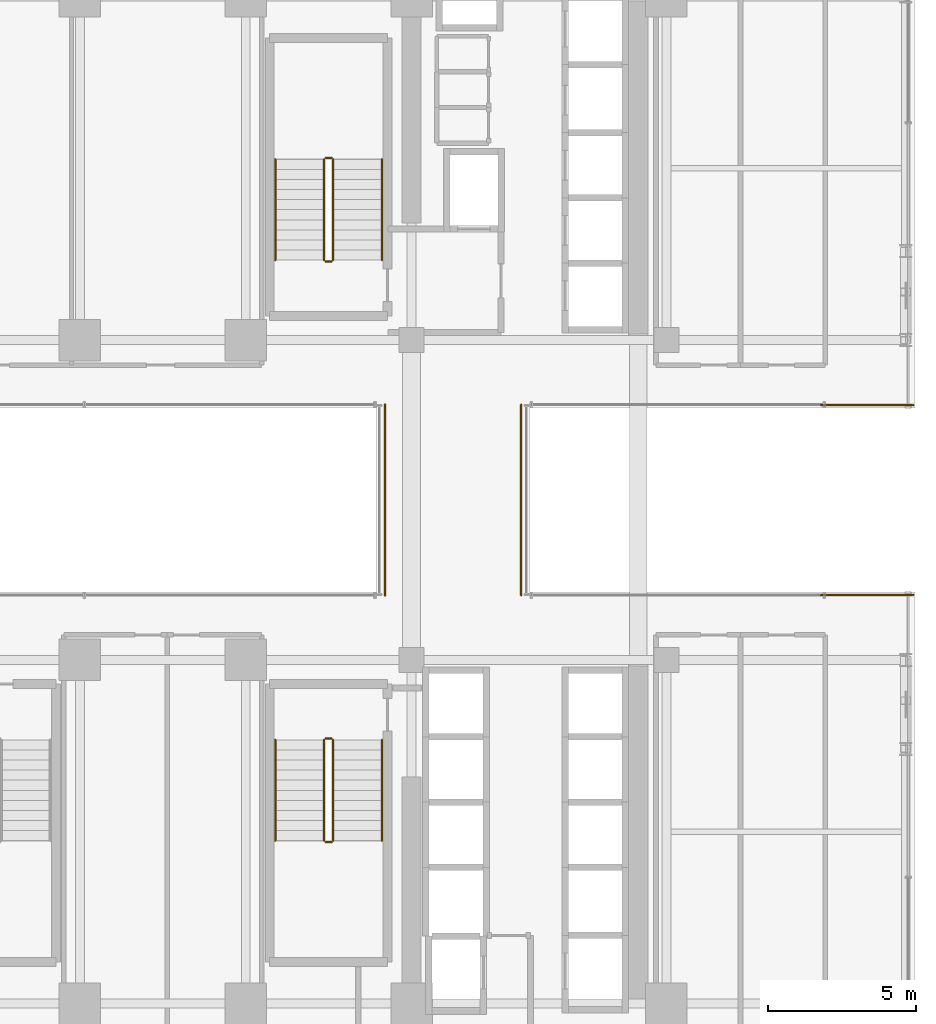
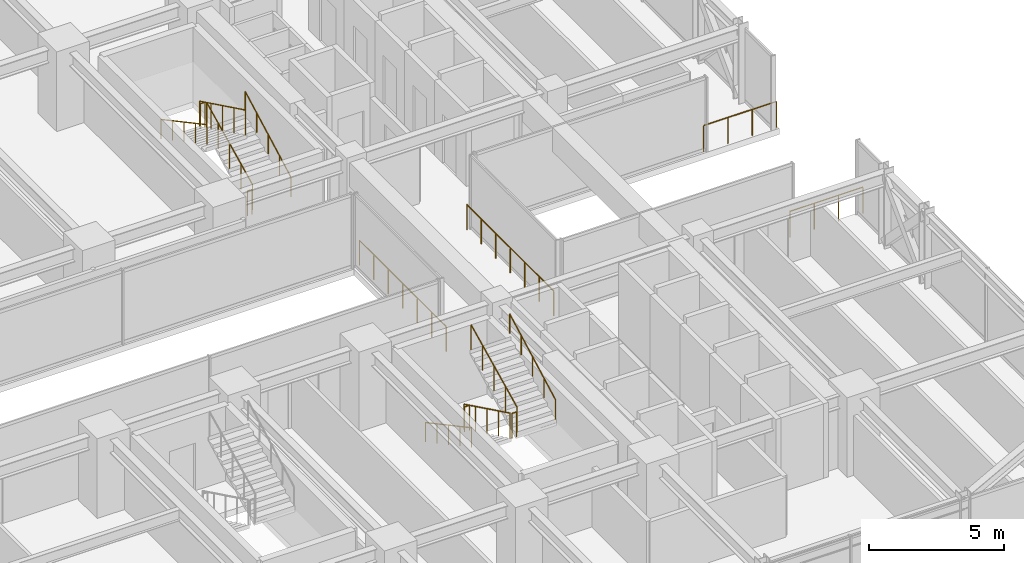
# One storey, part 36 of 37: 16 railings.
"""IFC4 building model written with IfcOpenShell, lengths in metres."""

from ifc_helpers import new_model, si_unit, direction, frame, origin, origin_2d, place, context, subcontext, project, spatial, circle, extrude, material, type_object, element, save


model = new_model("IFC4")

# Units and contexts
model_context = context("Model", 3, precision=1e-05, world=origin(), true_north=direction((0.0, 1.0)))
body_context = subcontext(model_context, "Body", "Model", "MODEL_VIEW")
ifc_project = project(units=[si_unit("LENGTHUNIT", "METRE"), si_unit("AREAUNIT", "SQUARE_METRE"), si_unit("VOLUMEUNIT", "CUBIC_METRE"), si_unit("PLANEANGLEUNIT", "RADIAN"), si_unit("MASSUNIT", "GRAM", prefix="KILO")], contexts=[model_context])

# Site, building, storey
site_placement = place(None, origin())
site = spatial("IfcSite", under=ifc_project, at=site_placement, CompositionType="ELEMENT")
building_placement = place(site_placement, origin())
building = spatial("IfcBuilding", under=site, at=building_placement, Name="Nahalor Promenade Grand Hotel", CompositionType="ELEMENT")
storey_placement = place(building_placement, frame((0.0, 0.0, 65.25)))
storey = spatial("IfcBuildingStorey", under=building, at=storey_placement, Name="L15", CompositionType="ELEMENT", Elevation=65.25)

# Railings
ifc_material_1 = material(Name="Anodised Bronze Aluminium EN AW-6063 T6", Category="aluminium")
railing_type_1 = type_object("IfcRailingType", Name="Bronze Balcony Guardrail 1200 mm", PredefinedType="GUARDRAIL", material=ifc_material_1)
for number, where, name in (
    (1, (22.219970703125, -3.199951171875, 0.0), "L15 Oculus Void Edge Guardrail ES"),
    (2, (22.219970703125, 3.199951171875, 0.0), "L15 Oculus Void Edge Guardrail EN"),
):
    element("IfcRailing", number, at=place(storey_placement, frame(where)), inside=storey, type_object=railing_type_1, Name=name, PredefinedType="GUARDRAIL", context=body_context, shape_type="SweptSolid", body=[
        extrude(circle(Radius=0.024048, at=origin_2d()), frame((0.0, 0.0, 1.17578125), z_axis=(1.0, 0.0, 0.0), x_axis=(0.0, 1.0, 0.0)), (0.0, 0.0, 1.0), 3.1201171875),
        extrude(circle(Radius=0.020996, at=origin_2d()), origin(), (0.0, 0.0, 1.0), 1.14990234375),
        extrude(circle(Radius=0.020996, at=origin_2d()), frame((1.0400390625, 0.0, 0.0)), (0.0, 0.0, 1.0), 1.14990234375),
        extrude(circle(Radius=0.020996, at=origin_2d()), frame((2.080078125, 0.0, 0.0)), (0.0, 0.0, 1.0), 1.14990234375),
        extrude(circle(Radius=0.020996, at=origin_2d()), frame((3.1201171875, 0.0, 0.0)), (0.0, 0.0, 1.0), 1.14990234375),
    ])
railing_type_2 = type_object("IfcRailingType", Name="Bronze Sky Balustrade 1150 mm", PredefinedType="BALUSTRADE", material=ifc_material_1)
for number, where, name in (
    (3, (7.5, -3.219970703125, 0.0), "BL-L15-BRG-W"),
    (4, (12.10009765625, -3.219970703125, 0.0), "BL-L15-BRG-E"),
):
    element("IfcRailing", number, at=place(storey_placement, frame(where)), inside=storey, type_object=railing_type_2, Name=name, PredefinedType="BALUSTRADE", context=body_context, shape_type="SweptSolid", body=[
        extrude(circle(Radius=0.024048, at=origin_2d()), frame((0.0, 0.0, 1.1259765625), z_axis=(0.0, 1.0, 0.0), x_axis=(-1.0, 0.0, 0.0)), (0.0, 0.0, 1.0), 6.43994140625),
        extrude(circle(Radius=0.020996, at=origin_2d()), origin(), (0.0, 0.0, 1.0), 1.099853515625),
        extrude(circle(Radius=0.020996, at=origin_2d()), frame((0.0, 1.0732421875, 0.0)), (0.0, 0.0, 1.0), 1.099853515625),
        extrude(circle(Radius=0.020996, at=origin_2d()), frame((0.0, 2.146728515625, 0.0)), (0.0, 0.0, 1.0), 1.099853515625),
        extrude(circle(Radius=0.020996, at=origin_2d()), frame((0.0, 3.219970703125, 0.0)), (0.0, 0.0, 1.0), 1.099853515625),
        extrude(circle(Radius=0.020996, at=origin_2d()), frame((0.0, 4.293212890625, 0.0)), (0.0, 0.0, 1.0), 1.099853515625),
        extrude(circle(Radius=0.020996, at=origin_2d()), frame((0.0, 5.36669921875, 0.0)), (0.0, 0.0, 1.0), 1.099853515625),
        extrude(circle(Radius=0.020996, at=origin_2d()), frame((0.0, 6.43994140625, 0.0)), (0.0, 0.0, 1.0), 1.099853515625),
    ])
ifc_material_2 = material(Name="Steel S355JR", Category="steel")
railing_type_3 = type_object("IfcRailingType", Name="Steel Stair Guardrail 1150 mm", PredefinedType="GUARDRAIL", material=ifc_material_2)
railing_1_placement = place(storey_placement, frame((5.75, 8.10009765625, 0.166015625)))
element("IfcRailing", 5, at=railing_1_placement, inside=storey, type_object=railing_type_3, Name="L15 ST1 stair guard 1", PredefinedType="GUARDRAIL", context=body_context, shape_type="SweptSolid", body=[
    extrude(circle(Radius=0.024048, at=origin_2d()), frame((0.0, 0.0, 1.1259765625), z_axis=(0.0, 0.898721922897, 0.438518990814), x_axis=(-1.0, 0.0, 0.0)), (0.0, 0.0, 1.0), 3.782958984375),
    extrude(circle(Radius=0.020996, at=origin_2d()), origin(), (0.0, 0.0, 1.0), 1.099853515625),
    extrude(circle(Radius=0.020996, at=origin_2d()), frame((0.0, 0.85009765625, 0.414794921875)), (0.0, 0.0, 1.0), 1.099853515625),
    extrude(circle(Radius=0.020996, at=origin_2d()), frame((0.0, 1.699951171875, 0.82958984375)), (0.0, 0.0, 1.0), 1.099853515625),
    extrude(circle(Radius=0.020996, at=origin_2d()), frame((0.0, 2.5498046875, 1.244140625)), (0.0, 0.0, 1.0), 1.099853515625),
    extrude(circle(Radius=0.020996, at=origin_2d()), frame((0.0, 3.39990234375, 1.658935546875)), (0.0, 0.0, 1.0), 1.099853515625),
])
railing_2_placement = place(storey_placement, frame((5.699951171875, 11.550048828125, 1.824951171875)))
element("IfcRailing", 6, at=railing_2_placement, inside=storey, type_object=railing_type_3, Name="L15 ST1 stair guard 2", PredefinedType="GUARDRAIL", context=body_context, shape_type="SweptSolid", body=[
    extrude(circle(Radius=0.024048, at=origin_2d()), frame((0.0, 0.0, 1.1259765625), z_axis=(-1.0, 0.0, 0.0), x_axis=(0.0, -1.0, 0.0)), (0.0, 0.0, 1.0), 0.199951171875),
    extrude(circle(Radius=0.020996, at=origin_2d()), origin(), (0.0, 0.0, 1.0), 1.099853515625),
    extrude(circle(Radius=0.020996, at=origin_2d()), frame((-0.199951171875, 0.0, 0.0)), (0.0, 0.0, 1.0), 1.099853515625),
])
railing_3_placement = place(storey_placement, frame((5.449951171875, 11.5, 1.990966796875)))
element("IfcRailing", 7, at=railing_3_placement, inside=storey, type_object=railing_type_3, Name="L15 ST1 stair guard 3", PredefinedType="GUARDRAIL", context=body_context, shape_type="SweptSolid", body=[
    extrude(circle(Radius=0.024048, at=origin_2d()), frame((0.0, 0.0, 1.1259765625), z_axis=(0.0, -0.898721922897, 0.438518990814), x_axis=(1.0, 0.0, 0.0)), (0.0, 0.0, 1.0), 3.782958984375),
    extrude(circle(Radius=0.020996, at=origin_2d()), origin(), (0.0, 0.0, 1.0), 1.099853515625),
    extrude(circle(Radius=0.020996, at=origin_2d()), frame((0.0, -0.85009765625, 0.414794921875)), (0.0, 0.0, 1.0), 1.099853515625),
    extrude(circle(Radius=0.020996, at=origin_2d()), frame((0.0, -1.699951171875, 0.82958984375)), (0.0, 0.0, 1.0), 1.099853515625),
    extrude(circle(Radius=0.020996, at=origin_2d()), frame((0.0, -2.5498046875, 1.244140625)), (0.0, 0.0, 1.0), 1.099853515625),
    extrude(circle(Radius=0.020996, at=origin_2d()), frame((0.0, -3.39990234375, 1.658935546875)), (0.0, 0.0, 1.0), 1.099853515625),
])
railing_4_placement = place(storey_placement, frame((5.699951171875, 8.050048828125, 0.0)))
element("IfcRailing", 8, at=railing_4_placement, inside=storey, type_object=railing_type_3, Name="L15 ST1 stair guard 4", PredefinedType="GUARDRAIL", context=body_context, shape_type="SweptSolid", body=[
    extrude(circle(Radius=0.024048, at=origin_2d()), frame((0.0, 0.0, 1.1259765625), z_axis=(-1.0, 0.0, 0.0), x_axis=(0.0, -1.0, 0.0)), (0.0, 0.0, 1.0), 0.199951171875),
    extrude(circle(Radius=0.020996, at=origin_2d()), origin(), (0.0, 0.0, 1.0), 1.099853515625),
    extrude(circle(Radius=0.020996, at=origin_2d()), frame((-0.199951171875, 0.0, 0.0)), (0.0, 0.0, 1.0), 1.099853515625),
])
railing_5_placement = place(storey_placement, frame((5.449951171875, -8.10009765625, 0.166015625)))
element("IfcRailing", 9, at=railing_5_placement, inside=storey, type_object=railing_type_3, Name="L15 ST2 stair guard 1", PredefinedType="GUARDRAIL", context=body_context, shape_type="SweptSolid", body=[
    extrude(circle(Radius=0.024048, at=origin_2d()), frame((0.0, 0.0, 1.1259765625), z_axis=(0.0, -0.898721922897, 0.438518990814), x_axis=(1.0, 0.0, 0.0)), (0.0, 0.0, 1.0), 3.782958984375),
    extrude(circle(Radius=0.020996, at=origin_2d()), origin(), (0.0, 0.0, 1.0), 1.099853515625),
    extrude(circle(Radius=0.020996, at=origin_2d()), frame((0.0, -0.85009765625, 0.414794921875)), (0.0, 0.0, 1.0), 1.099853515625),
    extrude(circle(Radius=0.020996, at=origin_2d()), frame((0.0, -1.699951171875, 0.82958984375)), (0.0, 0.0, 1.0), 1.099853515625),
    extrude(circle(Radius=0.020996, at=origin_2d()), frame((0.0, -2.5498046875, 1.244140625)), (0.0, 0.0, 1.0), 1.099853515625),
    extrude(circle(Radius=0.020996, at=origin_2d()), frame((0.0, -3.39990234375, 1.658935546875)), (0.0, 0.0, 1.0), 1.099853515625),
])
railing_6_placement = place(storey_placement, frame((5.5, -11.550048828125, 1.824951171875)))
element("IfcRailing", 10, at=railing_6_placement, inside=storey, type_object=railing_type_3, Name="L15 ST2 stair guard 2", PredefinedType="GUARDRAIL", context=body_context, shape_type="SweptSolid", body=[
    extrude(circle(Radius=0.024048, at=origin_2d()), frame((0.0, 0.0, 1.1259765625), z_axis=(1.0, 0.0, 0.0), x_axis=(0.0, 1.0, 0.0)), (0.0, 0.0, 1.0), 0.199951171875),
    extrude(circle(Radius=0.020996, at=origin_2d()), origin(), (0.0, 0.0, 1.0), 1.099853515625),
    extrude(circle(Radius=0.020996, at=origin_2d()), frame((0.199951171875, 0.0, 0.0)), (0.0, 0.0, 1.0), 1.099853515625),
])
railing_7_placement = place(storey_placement, frame((5.75, -11.5, 1.990966796875)))
element("IfcRailing", 11, at=railing_7_placement, inside=storey, type_object=railing_type_3, Name="L15 ST2 stair guard 3", PredefinedType="GUARDRAIL", context=body_context, shape_type="SweptSolid", body=[
    extrude(circle(Radius=0.024048, at=origin_2d()), frame((0.0, 0.0, 1.1259765625), z_axis=(0.0, 0.898721922897, 0.438518990814), x_axis=(-1.0, 0.0, 0.0)), (0.0, 0.0, 1.0), 3.782958984375),
    extrude(circle(Radius=0.020996, at=origin_2d()), origin(), (0.0, 0.0, 1.0), 1.099853515625),
    extrude(circle(Radius=0.020996, at=origin_2d()), frame((0.0, 0.85009765625, 0.414794921875)), (0.0, 0.0, 1.0), 1.099853515625),
    extrude(circle(Radius=0.020996, at=origin_2d()), frame((0.0, 1.699951171875, 0.82958984375)), (0.0, 0.0, 1.0), 1.099853515625),
    extrude(circle(Radius=0.020996, at=origin_2d()), frame((0.0, 2.5498046875, 1.244140625)), (0.0, 0.0, 1.0), 1.099853515625),
    extrude(circle(Radius=0.020996, at=origin_2d()), frame((0.0, 3.39990234375, 1.658935546875)), (0.0, 0.0, 1.0), 1.099853515625),
])
railing_8_placement = place(storey_placement, frame((5.5, -8.050048828125, 0.0)))
element("IfcRailing", 12, at=railing_8_placement, inside=storey, type_object=railing_type_3, Name="L15 ST2 stair guard 4", PredefinedType="GUARDRAIL", context=body_context, shape_type="SweptSolid", body=[
    extrude(circle(Radius=0.024048, at=origin_2d()), frame((0.0, 0.0, 1.1259765625), z_axis=(1.0, 0.0, 0.0), x_axis=(0.0, 1.0, 0.0)), (0.0, 0.0, 1.0), 0.199951171875),
    extrude(circle(Radius=0.020996, at=origin_2d()), origin(), (0.0, 0.0, 1.0), 1.099853515625),
    extrude(circle(Radius=0.020996, at=origin_2d()), frame((0.199951171875, 0.0, 0.0)), (0.0, 0.0, 1.0), 1.099853515625),
])
railing_type_4 = type_object("IfcRailingType", Name="Steel Stair Handrail 900 mm", PredefinedType="HANDRAIL", material=ifc_material_2)
railing_9_placement = place(storey_placement, frame((7.39990234375, 8.10009765625, 0.166015625)))
element("IfcRailing", 13, at=railing_9_placement, inside=storey, type_object=railing_type_4, Name="L15 ST1 stair handrail 1", PredefinedType="HANDRAIL", context=body_context, shape_type="SweptSolid", body=[
    extrude(circle(Radius=0.024048, at=origin_2d()), frame((0.0, 0.0, 0.8759765625), z_axis=(0.0, 0.881094038095, 0.47294111265), x_axis=(-1.0, 0.0, 0.0)), (0.0, 0.0, 1.0), 3.858642578125),
    extrude(circle(Radius=0.020996, at=origin_2d()), origin(), (0.0, 0.0, 1.0), 0.849853515625),
    extrude(circle(Radius=0.020996, at=origin_2d()), frame((0.0, 0.85009765625, 0.456298828125)), (0.0, 0.0, 1.0), 0.849853515625),
    extrude(circle(Radius=0.020996, at=origin_2d()), frame((0.0, 1.699951171875, 0.91259765625)), (0.0, 0.0, 1.0), 0.849853515625),
    extrude(circle(Radius=0.020996, at=origin_2d()), frame((0.0, 2.5498046875, 1.36865234375)), (0.0, 0.0, 1.0), 0.849853515625),
    extrude(circle(Radius=0.020996, at=origin_2d()), frame((0.0, 3.39990234375, 1.824951171875)), (0.0, 0.0, 1.0), 0.849853515625),
])
for number, where, name in (
    (14, (3.800048828125, 11.5, 1.990966796875), "L15 ST1 stair handrail 2"),
    (15, (3.800048828125, -8.10009765625, 0.166015625), "L15 ST2 stair handrail 1"),
):
    element("IfcRailing", number, at=place(storey_placement, frame(where)), inside=storey, type_object=railing_type_4, Name=name, PredefinedType="HANDRAIL", context=body_context, shape_type="SweptSolid", body=[
        extrude(circle(Radius=0.024048, at=origin_2d()), frame((0.0, 0.0, 0.8759765625), z_axis=(0.0, -0.881094038095, 0.47294111265), x_axis=(1.0, 0.0, 0.0)), (0.0, 0.0, 1.0), 3.858642578125),
        extrude(circle(Radius=0.020996, at=origin_2d()), origin(), (0.0, 0.0, 1.0), 0.849853515625),
        extrude(circle(Radius=0.020996, at=origin_2d()), frame((0.0, -0.85009765625, 0.456298828125)), (0.0, 0.0, 1.0), 0.849853515625),
        extrude(circle(Radius=0.020996, at=origin_2d()), frame((0.0, -1.699951171875, 0.91259765625)), (0.0, 0.0, 1.0), 0.849853515625),
        extrude(circle(Radius=0.020996, at=origin_2d()), frame((0.0, -2.5498046875, 1.36865234375)), (0.0, 0.0, 1.0), 0.849853515625),
        extrude(circle(Radius=0.020996, at=origin_2d()), frame((0.0, -3.39990234375, 1.824951171875)), (0.0, 0.0, 1.0), 0.849853515625),
    ])
railing_10_placement = place(storey_placement, frame((7.39990234375, -11.5, 1.990966796875)))
element("IfcRailing", 16, at=railing_10_placement, inside=storey, type_object=railing_type_4, Name="L15 ST2 stair handrail 2", PredefinedType="HANDRAIL", context=body_context, shape_type="SweptSolid", body=[
    extrude(circle(Radius=0.024048, at=origin_2d()), frame((0.0, 0.0, 0.8759765625), z_axis=(0.0, 0.881094038095, 0.47294111265), x_axis=(-1.0, 0.0, 0.0)), (0.0, 0.0, 1.0), 3.858642578125),
    extrude(circle(Radius=0.020996, at=origin_2d()), origin(), (0.0, 0.0, 1.0), 0.849853515625),
    extrude(circle(Radius=0.020996, at=origin_2d()), frame((0.0, 0.85009765625, 0.456298828125)), (0.0, 0.0, 1.0), 0.849853515625),
    extrude(circle(Radius=0.020996, at=origin_2d()), frame((0.0, 1.699951171875, 0.91259765625)), (0.0, 0.0, 1.0), 0.849853515625),
    extrude(circle(Radius=0.020996, at=origin_2d()), frame((0.0, 2.5498046875, 1.36865234375)), (0.0, 0.0, 1.0), 0.849853515625),
    extrude(circle(Radius=0.020996, at=origin_2d()), frame((0.0, 3.39990234375, 1.824951171875)), (0.0, 0.0, 1.0), 0.849853515625),
])

save(model, "model.ifc")
